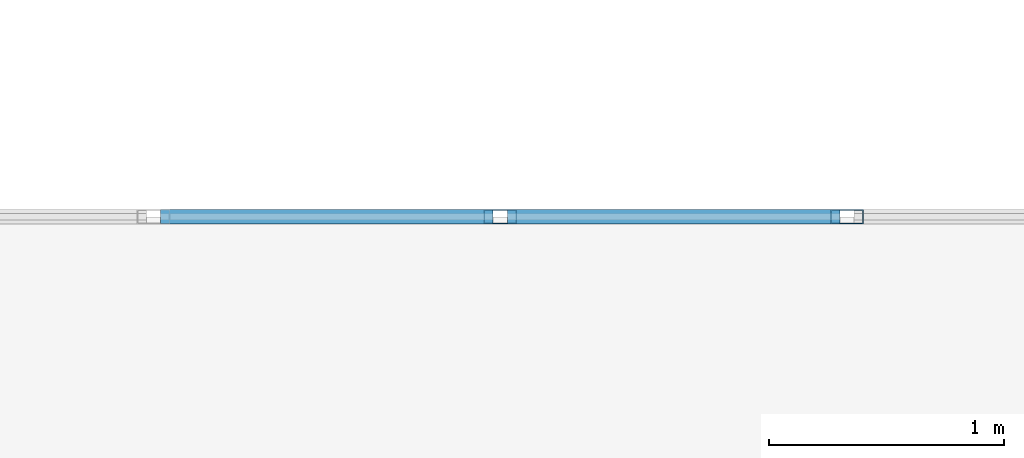
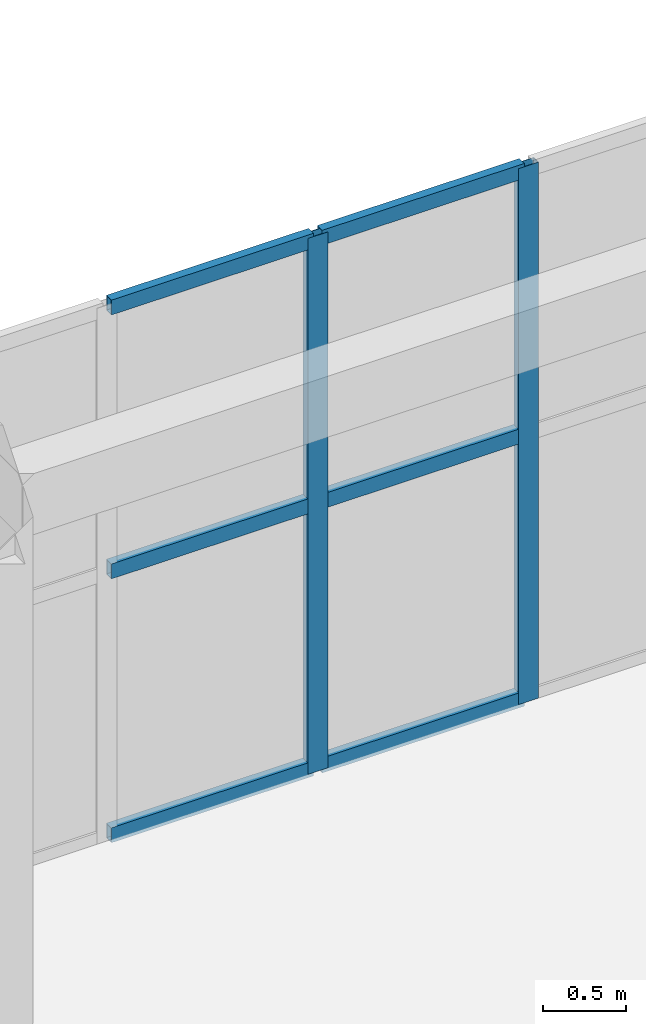
# One storey, part 77 of 140: 8 members, 1 element without a shape of its own.
"""IFC4 building model written with IfcOpenShell, lengths in metres."""

import ifcopenshell
import ifcopenshell.guid

model = None  # the IFC model being written
_history = None  # IfcOwnerHistory: only IFC2X3 demands one
_inside = {}  # id of a spatial element -> (the spatial element, [elements in it])
_under = {}  # id of a project, library or spatial element -> (it, [spatial elements below it])
_declared = {}  # id of a project -> (the project, [libraries it declares])
_typed = {}  # id of a type object -> (the type object, [elements of that type])
_made_of = {}  # id of a material, layer set ... -> (it, [elements and type objects made of it])


def new_model(schema):
    """Start an empty IFC model of exactly this schema.

    Asked for "IFC4X3", IfcOpenShell would pick the latest addendum, in which some entities
    have other attributes; the version numbers below select the first issue.
    IFC2X3 requires an IfcOwnerHistory on every rooted entity: one is made here for all.
    """
    global model, _history
    if schema == "IFC4X3":
        model = ifcopenshell.file(schema_version=(4, 3, 0, 0))
    else:
        model = ifcopenshell.file(schema=schema)
    _inside.clear()
    _under.clear()
    _declared.clear()
    _typed.clear()
    _made_of.clear()
    _history = None
    if model.schema == "IFC2X3":
        org = make("IfcOrganization", Name="unknown")
        user = make(
            "IfcPersonAndOrganization",
            ThePerson=make("IfcPerson", FamilyName="unknown"),
            TheOrganization=org,
        )
        app = make(
            "IfcApplication",
            ApplicationDeveloper=org,
            Version="unknown",
            ApplicationFullName="unknown",
            ApplicationIdentifier="unknown",
        )
        _history = make(
            "IfcOwnerHistory",
            OwningUser=user,
            OwningApplication=app,
            ChangeAction="ADDED",
            CreationDate=0,
        )
    return model


def make(cls, **values):
    """One entity of the class cls with the attributes given. An attribute that is None is left unset."""
    return model.create_entity(
        cls, **{name: value for name, value in values.items() if value is not None}
    )


def rooted(cls, **values):
    """An entity with a GlobalId (a new one), such as an element, a storey or a relation."""
    return make(cls, GlobalId=ifcopenshell.guid.new(), OwnerHistory=_history, **values)


def si_unit(unit_type, name, prefix=None):
    """IfcSIUnit, for example si_unit("LENGTHUNIT", "METRE", prefix="MILLI")."""
    return make("IfcSIUnit", UnitType=unit_type, Prefix=prefix, Name=name)


def assignment(units):
    """IfcUnitAssignment: the units of a project."""
    return None if units is None else make("IfcUnitAssignment", Units=units)


def point(xyz):
    """IfcCartesianPoint."""
    return None if xyz is None else make("IfcCartesianPoint", Coordinates=xyz)


def direction(xyz):
    """IfcDirection."""
    return None if xyz is None else make("IfcDirection", DirectionRatios=xyz)


def frame(location, z_axis=None, x_axis=None):
    """IfcAxis2Placement3D, a coordinate frame: its origin and axes. An axis left out is left unset."""
    return make(
        "IfcAxis2Placement3D",
        Location=point(location),
        Axis=direction(z_axis),
        RefDirection=direction(x_axis),
    )


def frame_2d(location, x_axis=None):
    """IfcAxis2Placement2D, a coordinate frame in the plane: its origin and x axis."""
    return make(
        "IfcAxis2Placement2D", Location=point(location), RefDirection=direction(x_axis)
    )


def origin():
    """The frame at (0, 0, 0) with its axes left unset."""
    return frame((0.0, 0.0, 0.0))


def origin_2d():
    """The frame at (0, 0) in the plane with its x axis left unset."""
    return frame_2d((0.0, 0.0))


def place(relative_to, where):
    """IfcLocalPlacement: puts the frame where relative to a parent placement (None: the world)."""
    return make(
        "IfcLocalPlacement", PlacementRelTo=relative_to, RelativePlacement=where
    )


def context(
    kind, dimensions, precision=None, world=None, true_north=None, identifier=None
):
    """IfcGeometricRepresentationContext, for example the 3D "Model" context."""
    return make(
        "IfcGeometricRepresentationContext",
        ContextIdentifier=identifier,
        ContextType=kind,
        CoordinateSpaceDimension=dimensions,
        Precision=precision,
        WorldCoordinateSystem=world,
        TrueNorth=true_north,
    )


def subcontext(parent, identifier, kind, view, scale=None):
    """IfcGeometricRepresentationSubContext, for example "Body" below "Model"."""
    return make(
        "IfcGeometricRepresentationSubContext",
        ContextIdentifier=identifier,
        ContextType=kind,
        ParentContext=parent,
        TargetScale=scale,
        TargetView=view,
    )


def project(units=None, contexts=None):
    """IfcProject with its units and contexts."""
    return rooted(
        "IfcProject",
        Name="project",
        RepresentationContexts=contexts,
        UnitsInContext=assignment(units),
    )


def spatial(cls, under=None, at=None, **own):
    """A site, building, storey or space (cls), placed at a placement, below another one or the project."""
    s = rooted(cls, ObjectPlacement=at, **own)
    if under is not None:
        _under.setdefault(under.id(), (under, []))[1].append(s)
    return s


def profile(cls, at=None, kind="AREA", **sizes):
    """A parametric profile (cls). Its sizes go by their IFC names, for example OverallWidth=200.0."""
    return make(cls, ProfileType=kind, Position=at, **sizes)


def hollow_rectangle(**sizes):
    """IfcRectangleHollowProfileDef."""
    return profile("IfcRectangleHollowProfileDef", **sizes)


def extrude(swept, where, along, depth):
    """IfcExtrudedAreaSolid: the profile swept, set in the frame where, extruded along a direction by depth."""
    return make(
        "IfcExtrudedAreaSolid",
        SweptArea=swept,
        Position=where,
        ExtrudedDirection=direction(along),
        Depth=depth,
    )


def shape(context_of_items, identifier, shape_type, items):
    """IfcShapeRepresentation: the items that make up one representation, for example the "Body"."""
    return make(
        "IfcShapeRepresentation",
        ContextOfItems=context_of_items,
        RepresentationIdentifier=identifier,
        RepresentationType=shape_type,
        Items=items,
    )


def material(Name=None, Category=None):
    """IfcMaterial."""
    return make("IfcMaterial", Name=Name, Category=Category)


def layer(
    of_material, thickness, ventilated=None, Name=None, Category=None, Priority=None
):
    """IfcMaterialLayer: one layer of a wall or slab, of a material (None: an air gap)."""
    return make(
        "IfcMaterialLayer",
        Material=of_material,
        LayerThickness=thickness,
        IsVentilated=ventilated,
        Name=Name,
        Category=Category,
        Priority=Priority,
    )


def layer_set(layers, Name=None):
    """IfcMaterialLayerSet."""
    return make("IfcMaterialLayerSet", MaterialLayers=layers, LayerSetName=Name)


def material_profile(
    of_material, cross_section, Name=None, Category=None, Priority=None
):
    """IfcMaterialProfile: a cross section and its material."""
    return make(
        "IfcMaterialProfile",
        Name=Name,
        Material=of_material,
        Profile=cross_section,
        Priority=Priority,
        Category=Category,
    )


def profile_set(profiles, Name=None, composite=None):
    """IfcMaterialProfileSet."""
    return make(
        "IfcMaterialProfileSet",
        Name=Name,
        MaterialProfiles=profiles,
        CompositeProfile=composite,
    )


def made_of(thing, what):
    """Note that an element or type object is made of a material, layer set ...; save() writes the relation."""
    if what is not None:
        _made_of.setdefault(what.id(), (what, []))[1].append(thing)
    return thing


def type_object(cls, material=None, **own):
    """A type object (cls), such as IfcWallType, which elements share."""
    return made_of(rooted(cls, **own), material)


def element(
    cls,
    number,
    at=None,
    inside=None,
    cuts=None,
    type_object=None,
    material=None,
    context=None,
    identifier="Body",
    shape_type=None,
    held_by="IfcProductDefinitionShape",
    body=None,
    shapes=None,
    **own,
):
    """One element of the class cls, such as IfcWall. Its Tag is "e" and its number.

    at: its placement. inside: the storey or other place that contains it. cuts: it is an
    opening in that element (IfcRelVoidsElement). A single representation is given by context,
    identifier, shape_type and body (its items); several are given by shapes. held_by: the class
    of the entity that holds the representations. save() writes the other relations.
    """
    e = rooted(cls, Tag="e%d" % number, ObjectPlacement=at, **own)
    if body is not None:
        shapes = [shape(context, identifier, shape_type, body)]
    if shapes is not None:
        e.Representation = make(held_by, Representations=shapes)
    if inside is not None:
        _inside.setdefault(inside.id(), (inside, []))[1].append(e)
    if cuts is not None:
        rooted(
            "IfcRelVoidsElement", RelatingBuildingElement=cuts, RelatedOpeningElement=e
        )
    if type_object is not None:
        _typed.setdefault(type_object.id(), (type_object, []))[1].append(e)
    return made_of(e, material)


def aggregate(whole, parts):
    """IfcRelAggregates: a whole, such as a stair, and the parts it consists of."""
    return rooted("IfcRelAggregates", RelatingObject=whole, RelatedObjects=parts)


def save(model, path):
    """Write the relations noted so far, then the file.

    IfcRelAggregates (storeys below a building ...), IfcRelContainedInSpatialStructure (elements
    in a storey), IfcRelDefinesByType, IfcRelAssociatesMaterial and IfcRelDeclares: one each for
    every whole, place, type object, material and project.
    """
    for whole, parts in _under.values():
        aggregate(whole, parts)
    for where, things in _inside.values():
        rooted(
            "IfcRelContainedInSpatialStructure",
            RelatedElements=things,
            RelatingStructure=where,
        )
    for kind, things in _typed.values():
        rooted("IfcRelDefinesByType", RelatedObjects=things, RelatingType=kind)
    for what, things in _made_of.values():
        rooted("IfcRelAssociatesMaterial", RelatedObjects=things, RelatingMaterial=what)
    for by, libraries in _declared.values():
        rooted("IfcRelDeclares", RelatingContext=by, RelatedDefinitions=libraries)
    model.write(path)


model = new_model("IFC4")

# Units and contexts
model_context = context("Model", 3, precision=1e-05, world=origin(), true_north=direction((0.0, 1.0)))
body_context = subcontext(model_context, "Body", "Model", "MODEL_VIEW")
ifc_project = project(units=[si_unit("LENGTHUNIT", "METRE"), si_unit("AREAUNIT", "SQUARE_METRE"), si_unit("VOLUMEUNIT", "CUBIC_METRE"), si_unit("PLANEANGLEUNIT", "RADIAN"), si_unit("MASSUNIT", "GRAM", prefix="KILO")], contexts=[model_context])

# Site, building, storey
site_placement = place(None, origin())
site = spatial("IfcSite", under=ifc_project, at=site_placement, CompositionType="ELEMENT")
building_placement = place(site_placement, origin())
building = spatial("IfcBuilding", under=site, at=building_placement, Name="Trelvath General Hospital", CompositionType="ELEMENT")
storey_placement = place(building_placement, frame((0.0, 0.0, 16.199951171875)))
storey = spatial("IfcBuildingStorey", under=building, at=storey_placement, Name="L04", CompositionType="ELEMENT", Elevation=16.199951171875)

# Curtain wall, members
ifc_material_1 = material(Name="Anodised aluminium and low-E glass", Category="aluminium")
ifc_layer = layer(ifc_material_1, 0.139892578125)
ifc_layer_set = layer_set([ifc_layer], Name="Anodised aluminium and low-E glass")
curtain_wall_type = type_object("IfcCurtainWallType", Name="CW CrystalCube 737 396 14", PredefinedType="USERDEFINED", material=ifc_layer_set)
curtain_wall_placement = place(storey_placement, origin())
curtain_wall = element("IfcCurtainWall", 1, at=curtain_wall_placement, inside=storey, type_object=curtain_wall_type, Name="Crystal Cube Curtain Wall CUBE-E-T1 N3 L04", ObjectType="Unitised Glazed Curtain Wall", PredefinedType="USERDEFINED")
ifc_material_2 = material(Name="Anodised aluminium", Category="aluminium")
ifc_material_profile_1 = material_profile(ifc_material_2, hollow_rectangle(XDim=0.06005859375, YDim=0.139892578125, WallThickness=0.00390625, at=origin_2d()), Name="RHS60x140x4")
ifc_profile_set_1 = profile_set([ifc_material_profile_1], Name="Anodised aluminium")
member_type_1 = type_object("IfcMemberType", Name="CurtainMullion 60x140", PredefinedType="MULLION", material=ifc_profile_set_1)
member_1_placement = place(storey_placement, frame((110.300048828125, 80.39990234375, 0.0), z_axis=(0.0, 0.0, 1.0), x_axis=(0.0, 1.0, 0.0)))
member_1 = element("IfcMember", 2, at=member_1_placement, type_object=member_type_1, Name="CW-287 mullion 3", PredefinedType="MULLION", context=body_context, shape_type="SweptSolid", body=[
    extrude(hollow_rectangle(XDim=0.06005859375, YDim=0.139892578125, WallThickness=0.00390625, at=origin_2d()), origin(), (0.0, 0.0, 1.0), 3.9599609375),
])
member_2_placement = place(storey_placement, frame((111.7734375, 80.39990234375, 0.0), z_axis=(0.0, 0.0, 1.0), x_axis=(0.0, 1.0, 0.0)))
member_2 = element("IfcMember", 3, at=member_2_placement, type_object=member_type_1, Name="CW-287 mullion 4", PredefinedType="MULLION", context=body_context, shape_type="SweptSolid", body=[
    extrude(hollow_rectangle(XDim=0.06005859375, YDim=0.139892578125, WallThickness=0.00390625, at=origin_2d()), origin(), (0.0, 0.0, 1.0), 3.9599609375),
])
ifc_material_3 = material(Name="Anodised aluminium", Category="aluminium")
ifc_material_profile_2 = material_profile(ifc_material_3, hollow_rectangle(XDim=0.06005859375, YDim=0.110107421875, WallThickness=0.00390625, at=origin_2d()), Name="RHS60x110x4")
ifc_profile_set_2 = profile_set([ifc_material_profile_2], Name="Anodised aluminium")
member_type_2 = type_object("IfcMemberType", Name="CurtainTransom 60x110", PredefinedType="USERDEFINED", material=ifc_profile_set_2)
member_3_placement = place(storey_placement, frame((108.856689453125, 80.39990234375, 0.030029296875), z_axis=(1.0, 0.0, 0.0), x_axis=(0.0, 1.0, 0.0)))
member_3 = element("IfcMember", 4, at=member_3_placement, type_object=member_type_2, Name="CW-287 transom 2.1", ObjectType="TRANSOM", PredefinedType="USERDEFINED", context=body_context, shape_type="SweptSolid", body=[
    extrude(hollow_rectangle(XDim=0.06005859375, YDim=0.110107421875, WallThickness=0.00390625, at=origin_2d()), origin(), (0.0, 0.0, 1.0), 1.413330078125),
])
member_4_placement = place(storey_placement, frame((108.856689453125, 80.39990234375, 1.97998046875), z_axis=(1.0, 0.0, 0.0), x_axis=(0.0, 1.0, 0.0)))
member_4 = element("IfcMember", 5, at=member_4_placement, type_object=member_type_2, Name="CW-287 transom 2.2", ObjectType="TRANSOM", PredefinedType="USERDEFINED", context=body_context, shape_type="SweptSolid", body=[
    extrude(hollow_rectangle(XDim=0.06005859375, YDim=0.110107421875, WallThickness=0.00390625, at=origin_2d()), origin(), (0.0, 0.0, 1.0), 1.413330078125),
])
member_5_placement = place(storey_placement, frame((108.856689453125, 80.39990234375, 3.929931640625), z_axis=(1.0, 0.0, 0.0), x_axis=(0.0, 1.0, 0.0)))
member_5 = element("IfcMember", 6, at=member_5_placement, type_object=member_type_2, Name="CW-287 transom 2.3", ObjectType="TRANSOM", PredefinedType="USERDEFINED", context=body_context, shape_type="SweptSolid", body=[
    extrude(hollow_rectangle(XDim=0.06005859375, YDim=0.110107421875, WallThickness=0.00390625, at=origin_2d()), origin(), (0.0, 0.0, 1.0), 1.413330078125),
])
member_6_placement = place(storey_placement, frame((110.330078125, 80.39990234375, 0.030029296875), z_axis=(1.0, 0.0, 0.0), x_axis=(0.0, 1.0, 0.0)))
member_6 = element("IfcMember", 7, at=member_6_placement, type_object=member_type_2, Name="CW-287 transom 3.1", ObjectType="TRANSOM", PredefinedType="USERDEFINED", context=body_context, shape_type="SweptSolid", body=[
    extrude(hollow_rectangle(XDim=0.06005859375, YDim=0.110107421875, WallThickness=0.00390625, at=origin_2d()), origin(), (0.0, 0.0, 1.0), 1.413330078125),
])
member_7_placement = place(storey_placement, frame((110.330078125, 80.39990234375, 1.97998046875), z_axis=(1.0, 0.0, 0.0), x_axis=(0.0, 1.0, 0.0)))
member_7 = element("IfcMember", 8, at=member_7_placement, type_object=member_type_2, Name="CW-287 transom 3.2", ObjectType="TRANSOM", PredefinedType="USERDEFINED", context=body_context, shape_type="SweptSolid", body=[
    extrude(hollow_rectangle(XDim=0.06005859375, YDim=0.110107421875, WallThickness=0.00390625, at=origin_2d()), origin(), (0.0, 0.0, 1.0), 1.413330078125),
])
member_8_placement = place(storey_placement, frame((110.330078125, 80.39990234375, 3.929931640625), z_axis=(1.0, 0.0, 0.0), x_axis=(0.0, 1.0, 0.0)))
member_8 = element("IfcMember", 9, at=member_8_placement, type_object=member_type_2, Name="CW-287 transom 3.3", ObjectType="TRANSOM", PredefinedType="USERDEFINED", context=body_context, shape_type="SweptSolid", body=[
    extrude(hollow_rectangle(XDim=0.06005859375, YDim=0.110107421875, WallThickness=0.00390625, at=origin_2d()), origin(), (0.0, 0.0, 1.0), 1.413330078125),
])
aggregate(curtain_wall, [member_1, member_2, member_3, member_4, member_5, member_6, member_7, member_8])

save(model, "model.ifc")
